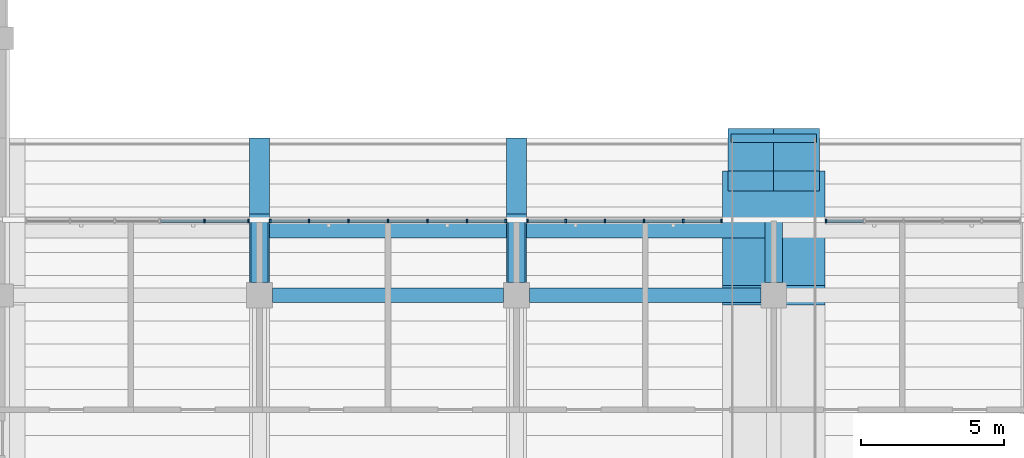
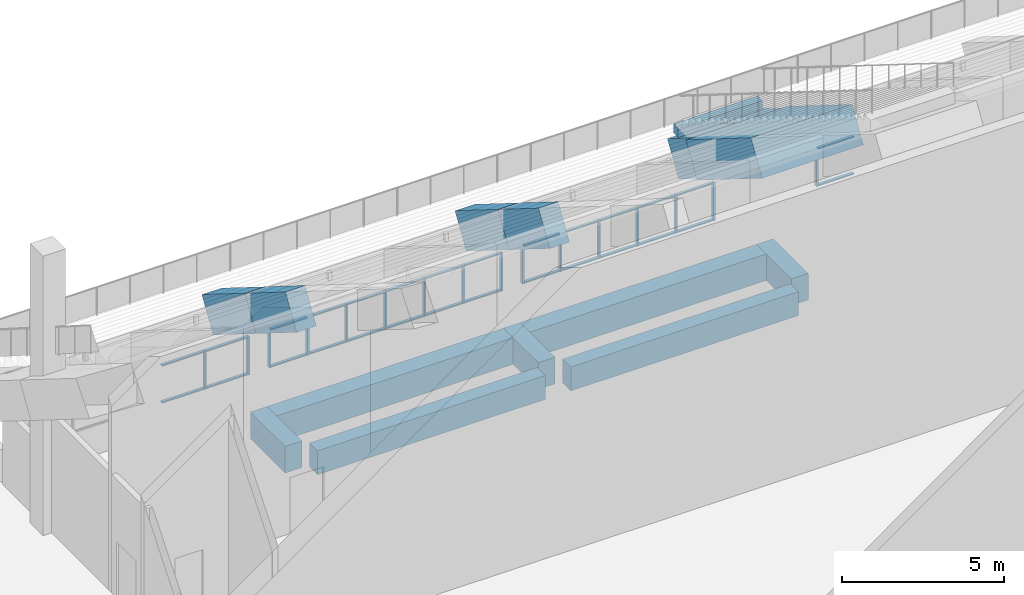
# One storey, part 24 of 182: 44 members, 15 beams, 4 elements without a shape of their own.
"""IFC4 building model written with IfcOpenShell, lengths in metres."""

from ifc_helpers import new_model, si_unit, direction, frame, origin, origin_2d, place, context, subcontext, project, spatial, rectangle, extrude, material, material_profile, profile_set, type_object, element, aggregate, save


model = new_model("IFC4")

# Units and contexts
model_context = context("Model", 3, precision=1e-05, world=origin(), true_north=direction((0.0, 1.0)))
body_context = subcontext(model_context, "Body", "Model", "MODEL_VIEW")
ifc_project = project(units=[si_unit("LENGTHUNIT", "METRE"), si_unit("AREAUNIT", "SQUARE_METRE"), si_unit("VOLUMEUNIT", "CUBIC_METRE"), si_unit("PLANEANGLEUNIT", "RADIAN"), si_unit("MASSUNIT", "GRAM", prefix="KILO")], contexts=[model_context])

# Site, building, storey
site_placement = place(None, origin())
site = spatial("IfcSite", under=ifc_project, at=site_placement, CompositionType="ELEMENT")
building_placement = place(site_placement, origin())
building = spatial("IfcBuilding", under=site, at=building_placement, Name="Silverbay Arena", CompositionType="ELEMENT")
storey_placement = place(building_placement, frame((0.0, 0.0, 11.5)))
storey = spatial("IfcBuildingStorey", under=building, at=storey_placement, Name="L02", CompositionType="ELEMENT", Elevation=11.5)

# Curtain wall, members
ifc_material_1 = material(Name="Fire-resisting glass", Category="glass")
curtain_wall_type_1 = type_object("IfcCurtainWallType", Name="Fire-resisting glazed screen EI 120 7850 x 1437", PredefinedType="NOTDEFINED", material=ifc_material_1)
curtain_wall_1_placement = place(storey_placement, origin())
curtain_wall_1 = element("IfcCurtainWall", 1, at=curtain_wall_1_placement, inside=storey, type_object=curtain_wall_type_1, Name="South suite front 1", PredefinedType="NOTDEFINED")
ifc_material_2 = material(Name="Aluminium", Category="aluminium")
ifc_material_profile_1 = material_profile(ifc_material_2, rectangle(XDim=0.1201171875, YDim=0.06005859375, at=origin_2d()), Name="Mullion 60 x 120")
ifc_profile_set_1 = profile_set([ifc_material_profile_1], Name="Aluminium")
member_type_1 = type_object("IfcMemberType", Name="Mullion 60 x 120", PredefinedType="MULLION", material=ifc_profile_set_1)
member_1_placement = place(storey_placement, frame((106.080078125, 47.60009765625, 1.10009765625), z_axis=(0.0, 0.0, 1.0), x_axis=(0.0, 1.0, 0.0)))
member_1 = element("IfcMember", 2, at=member_1_placement, type_object=member_type_1, Name="CW17 mullion 5", PredefinedType="MULLION", context=body_context, shape_type="SweptSolid", body=[
    extrude(rectangle(XDim=0.1201171875, YDim=0.06005859375, at=origin_2d()), origin(), (0.0, 0.0, 1.0), 1.43701171875),
])
member_2_placement = place(storey_placement, frame((107.6201171875, 47.60009765625, 1.10009765625), z_axis=(0.0, 0.0, 1.0), x_axis=(0.0, 1.0, 0.0)))
member_2 = element("IfcMember", 3, at=member_2_placement, type_object=member_type_1, Name="CW17 mullion 6", PredefinedType="MULLION", context=body_context, shape_type="SweptSolid", body=[
    extrude(rectangle(XDim=0.1201171875, YDim=0.06005859375, at=origin_2d()), origin(), (0.0, 0.0, 1.0), 1.43701171875),
])

ifc_material_3 = material(Name="Fire-resisting glass", Category="glass")
curtain_wall_type_2 = type_object("IfcCurtainWallType", Name="Fire-resisting glazed screen EI 120 8300 x 1437", PredefinedType="NOTDEFINED", material=ifc_material_3)
curtain_wall_2_placement = place(storey_placement, origin())
curtain_wall_2 = element("IfcCurtainWall", 4, at=curtain_wall_2_placement, inside=storey, type_object=curtain_wall_type_2, Name="South suite front 2", PredefinedType="NOTDEFINED")
member_3_placement = place(storey_placement, frame((108.3798828125, 47.60009765625, 1.10009765625), z_axis=(0.0, 0.0, 1.0), x_axis=(0.0, 1.0, 0.0)))
member_3 = element("IfcMember", 5, at=member_3_placement, type_object=member_type_1, Name="CW18 mullion 1", PredefinedType="MULLION", context=body_context, shape_type="SweptSolid", body=[
    extrude(rectangle(XDim=0.1201171875, YDim=0.06005859375, at=origin_2d()), origin(), (0.0, 0.0, 1.0), 1.43701171875),
])
member_4_placement = place(storey_placement, frame((109.7333984375, 47.60009765625, 1.10009765625), z_axis=(0.0, 0.0, 1.0), x_axis=(0.0, 1.0, 0.0)))
member_4 = element("IfcMember", 6, at=member_4_placement, type_object=member_type_1, Name="CW18 mullion 2", PredefinedType="MULLION", context=body_context, shape_type="SweptSolid", body=[
    extrude(rectangle(XDim=0.1201171875, YDim=0.06005859375, at=origin_2d()), origin(), (0.0, 0.0, 1.0), 1.43701171875),
])
member_5_placement = place(storey_placement, frame((111.11669921875, 47.60009765625, 1.10009765625), z_axis=(0.0, 0.0, 1.0), x_axis=(0.0, 1.0, 0.0)))
member_5 = element("IfcMember", 7, at=member_5_placement, type_object=member_type_1, Name="CW18 mullion 3", PredefinedType="MULLION", context=body_context, shape_type="SweptSolid", body=[
    extrude(rectangle(XDim=0.1201171875, YDim=0.06005859375, at=origin_2d()), origin(), (0.0, 0.0, 1.0), 1.43701171875),
])
member_6_placement = place(storey_placement, frame((112.5, 47.60009765625, 1.10009765625), z_axis=(0.0, 0.0, 1.0), x_axis=(0.0, 1.0, 0.0)))
member_6 = element("IfcMember", 8, at=member_6_placement, type_object=member_type_1, Name="CW18 mullion 4", PredefinedType="MULLION", context=body_context, shape_type="SweptSolid", body=[
    extrude(rectangle(XDim=0.1201171875, YDim=0.06005859375, at=origin_2d()), origin(), (0.0, 0.0, 1.0), 1.43701171875),
])
member_7_placement = place(storey_placement, frame((113.88330078125, 47.60009765625, 1.10009765625), z_axis=(0.0, 0.0, 1.0), x_axis=(0.0, 1.0, 0.0)))
member_7 = element("IfcMember", 9, at=member_7_placement, type_object=member_type_1, Name="CW18 mullion 5", PredefinedType="MULLION", context=body_context, shape_type="SweptSolid", body=[
    extrude(rectangle(XDim=0.1201171875, YDim=0.06005859375, at=origin_2d()), origin(), (0.0, 0.0, 1.0), 1.43701171875),
])
member_8_placement = place(storey_placement, frame((115.2666015625, 47.60009765625, 1.10009765625), z_axis=(0.0, 0.0, 1.0), x_axis=(0.0, 1.0, 0.0)))
member_8 = element("IfcMember", 10, at=member_8_placement, type_object=member_type_1, Name="CW18 mullion 6", PredefinedType="MULLION", context=body_context, shape_type="SweptSolid", body=[
    extrude(rectangle(XDim=0.1201171875, YDim=0.06005859375, at=origin_2d()), origin(), (0.0, 0.0, 1.0), 1.43701171875),
])
member_9_placement = place(storey_placement, frame((116.6201171875, 47.60009765625, 1.10009765625), z_axis=(0.0, 0.0, 1.0), x_axis=(0.0, 1.0, 0.0)))
member_9 = element("IfcMember", 11, at=member_9_placement, type_object=member_type_1, Name="CW18 mullion 7", PredefinedType="MULLION", context=body_context, shape_type="SweptSolid", body=[
    extrude(rectangle(XDim=0.1201171875, YDim=0.06005859375, at=origin_2d()), origin(), (0.0, 0.0, 1.0), 1.43701171875),
])

ifc_material_4 = material(Name="Fire-resisting glass", Category="glass")
curtain_wall_type_3 = type_object("IfcCurtainWallType", Name="Fire-resisting glazed screen EI 120 6850 x 1437", PredefinedType="NOTDEFINED", material=ifc_material_4)
curtain_wall_3_placement = place(storey_placement, origin())
curtain_wall_3 = element("IfcCurtainWall", 12, at=curtain_wall_3_placement, inside=storey, type_object=curtain_wall_type_3, Name="South suite front 3", PredefinedType="NOTDEFINED")
member_10_placement = place(storey_placement, frame((117.3798828125, 47.60009765625, 1.10009765625), z_axis=(0.0, 0.0, 1.0), x_axis=(0.0, 1.0, 0.0)))
member_10 = element("IfcMember", 13, at=member_10_placement, type_object=member_type_1, Name="CW19 mullion 1", PredefinedType="MULLION", context=body_context, shape_type="SweptSolid", body=[
    extrude(rectangle(XDim=0.1201171875, YDim=0.06005859375, at=origin_2d()), origin(), (0.0, 0.0, 1.0), 1.43701171875),
])
member_11_placement = place(storey_placement, frame((118.719970703125, 47.60009765625, 1.10009765625), z_axis=(0.0, 0.0, 1.0), x_axis=(0.0, 1.0, 0.0)))
member_11 = element("IfcMember", 14, at=member_11_placement, type_object=member_type_1, Name="CW19 mullion 2", PredefinedType="MULLION", context=body_context, shape_type="SweptSolid", body=[
    extrude(rectangle(XDim=0.1201171875, YDim=0.06005859375, at=origin_2d()), origin(), (0.0, 0.0, 1.0), 1.43701171875),
])
member_12_placement = place(storey_placement, frame((120.090087890625, 47.60009765625, 1.10009765625), z_axis=(0.0, 0.0, 1.0), x_axis=(0.0, 1.0, 0.0)))
member_12 = element("IfcMember", 15, at=member_12_placement, type_object=member_type_1, Name="CW19 mullion 3", PredefinedType="MULLION", context=body_context, shape_type="SweptSolid", body=[
    extrude(rectangle(XDim=0.1201171875, YDim=0.06005859375, at=origin_2d()), origin(), (0.0, 0.0, 1.0), 1.43701171875),
])
member_13_placement = place(storey_placement, frame((121.4599609375, 47.60009765625, 1.10009765625), z_axis=(0.0, 0.0, 1.0), x_axis=(0.0, 1.0, 0.0)))
member_13 = element("IfcMember", 16, at=member_13_placement, type_object=member_type_1, Name="CW19 mullion 4", PredefinedType="MULLION", context=body_context, shape_type="SweptSolid", body=[
    extrude(rectangle(XDim=0.1201171875, YDim=0.06005859375, at=origin_2d()), origin(), (0.0, 0.0, 1.0), 1.43701171875),
])
member_14_placement = place(storey_placement, frame((122.830078125, 47.60009765625, 1.10009765625), z_axis=(0.0, 0.0, 1.0), x_axis=(0.0, 1.0, 0.0)))
member_14 = element("IfcMember", 17, at=member_14_placement, type_object=member_type_1, Name="CW19 mullion 5", PredefinedType="MULLION", context=body_context, shape_type="SweptSolid", body=[
    extrude(rectangle(XDim=0.1201171875, YDim=0.06005859375, at=origin_2d()), origin(), (0.0, 0.0, 1.0), 1.43701171875),
])
member_15_placement = place(storey_placement, frame((124.169921875, 47.60009765625, 1.10009765625), z_axis=(0.0, 0.0, 1.0), x_axis=(0.0, 1.0, 0.0)))
member_15 = element("IfcMember", 18, at=member_15_placement, type_object=member_type_1, Name="CW19 mullion 6", PredefinedType="MULLION", context=body_context, shape_type="SweptSolid", body=[
    extrude(rectangle(XDim=0.1201171875, YDim=0.06005859375, at=origin_2d()), origin(), (0.0, 0.0, 1.0), 1.43701171875),
])

# Curtain wall, member
curtain_wall_4_placement = place(storey_placement, origin())
curtain_wall_4 = element("IfcCurtainWall", 19, at=curtain_wall_4_placement, inside=storey, type_object=curtain_wall_type_3, Name="South suite front 4", PredefinedType="NOTDEFINED")
member_16_placement = place(storey_placement, frame((127.830078125, 47.60009765625, 1.10009765625), z_axis=(0.0, 0.0, 1.0), x_axis=(0.0, 1.0, 0.0)))
member_16 = element("IfcMember", 20, at=member_16_placement, type_object=member_type_1, Name="CW19 mullion 1", PredefinedType="MULLION", context=body_context, shape_type="SweptSolid", body=[
    extrude(rectangle(XDim=0.1201171875, YDim=0.06005859375, at=origin_2d()), origin(), (0.0, 0.0, 1.0), 1.43701171875),
])

# Beams
ifc_material_5 = material(Name="Concrete Grade C45", Category="concrete")
ifc_material_profile_2 = material_profile(ifc_material_5, rectangle(XDim=0.5, YDim=0.89990234375, at=origin_2d()), Name="RC 500x900")
ifc_profile_set_2 = profile_set([ifc_material_profile_2], Name="Concrete Grade C45")
beam_type_1 = type_object("IfcBeamType", Name="RC beam 500x900", PredefinedType="BEAM", material=ifc_profile_set_2)
for number, where, z_axis, x_axis, name in (
    (21, (108.449951171875, 45.0, -0.800048828125), (1.0, 0.0, 0.0), (0.0, 1.0, 0.0), "Floor beam L02 034"),
    (22, (117.449951171875, 45.0, -0.800048828125), (1.0, 0.0, 0.0), (0.0, 1.0, 0.0), "Floor beam L02 035"),
):
    element("IfcBeam", number, at=place(storey_placement, frame(where, z_axis=z_axis, x_axis=x_axis)), inside=storey, type_object=beam_type_1, Name=name, PredefinedType="BEAM", context=body_context, shape_type="SweptSolid", body=[
        extrude(rectangle(XDim=0.5, YDim=0.89990234375, at=origin_2d()), origin(), (0.0, 0.0, 1.0), 8.10009765625),
    ])
ifc_material_6 = material(Name="Concrete Grade C45", Category="concrete")
ifc_material_profile_3 = material_profile(ifc_material_6, rectangle(XDim=0.60009765625, YDim=1.0, at=origin_2d()), Name="RC 600x1000")
ifc_profile_set_3 = profile_set([ifc_material_profile_3], Name="Concrete Grade C45")
beam_type_2 = type_object("IfcBeamType", Name="RC beam 600x1000", PredefinedType="BEAM", material=ifc_profile_set_3)
for number, where, z_axis, x_axis, name in (
    (23, (108.0, 45.449951171875, -0.85009765625), (0.0, 1.0, 0.0), (-1.0, 0.0, 0.0), "Floor beam L02 255"),
    (24, (117.0, 45.449951171875, -0.85009765625), (0.0, 1.0, 0.0), (-1.0, 0.0, 0.0), "Floor beam L02 261"),
    (25, (126.0, 45.449951171875, -0.85009765625), (0.0, 1.0, 0.0), (-1.0, 0.0, 0.0), "Floor beam L02 268"),
):
    element("IfcBeam", number, at=place(storey_placement, frame(where, z_axis=z_axis, x_axis=x_axis)), inside=storey, type_object=beam_type_2, Name=name, PredefinedType="BEAM", context=body_context, shape_type="SweptSolid", body=[
        extrude(rectangle(XDim=0.60009765625, YDim=1.0, at=origin_2d()), origin(), (0.0, 0.0, 1.0), 2.150146484375),
    ])
for number, where, z_axis, x_axis, name in (
    (26, (108.300048828125, 47.300048828125, -0.85009765625), (1.0, 0.0, 0.0), (0.0, 1.0, 0.0), "Floor beam L02 366"),
    (27, (117.300048828125, 47.300048828125, -0.85009765625), (1.0, 0.0, 0.0), (0.0, 1.0, 0.0), "Floor beam L02 367"),
):
    element("IfcBeam", number, at=place(storey_placement, frame(where, z_axis=z_axis, x_axis=x_axis)), inside=storey, type_object=beam_type_2, Name=name, PredefinedType="BEAM", context=body_context, shape_type="SweptSolid", body=[
        extrude(rectangle(XDim=0.60009765625, YDim=1.0, at=origin_2d()), origin(), (0.0, 0.0, 1.0), 8.39990234375),
    ])
ifc_material_7 = material(Name="Concrete Grade C45", Category="concrete")
ifc_material_profile_4 = material_profile(ifc_material_7, rectangle(XDim=1.60009765625, YDim=1.300048828125, at=origin_2d()), Name="RC 1600x1300")
ifc_profile_set_4 = profile_set([ifc_material_profile_4], Name="Concrete Grade C45")
beam_type_3 = type_object("IfcBeamType", Name="RC cantilever raker 1600x1300", PredefinedType="BEAM", material=ifc_profile_set_4)
for number, where, z_axis, x_axis, name in (
    (28, (125.199951171875, 50.5, 1.553466796875), (0.0, -0.847998304005, 0.529998940003), (1.0, 0.0, 0.0), "Raker South upper 126 nose L"),
    (29, (126.800048828125, 50.5, 1.553466796875), (0.0, -0.847998304005, 0.529998940003), (1.0, 0.0, 0.0), "Raker South upper 126 nose R"),
):
    element("IfcBeam", number, at=place(storey_placement, frame(where, z_axis=z_axis, x_axis=x_axis)), inside=storey, type_object=beam_type_3, Name=name, PredefinedType="BEAM", context=body_context, shape_type="SweptSolid", body=[
        extrude(rectangle(XDim=1.60009765625, YDim=1.300048828125, at=origin_2d()), origin(), (0.0, 0.0, 1.0), 1.768798828125),
    ])
ifc_material_8 = material(Name="Concrete Grade C45", Category="concrete")
ifc_material_profile_5 = material_profile(ifc_material_8, rectangle(XDim=3.60009765625, YDim=1.300048828125, at=origin_2d()), Name="RC 3600x1300")
ifc_profile_set_5 = profile_set([ifc_material_profile_5], Name="Concrete Grade C45")
beam_type_4 = type_object("IfcBeamType", Name="RC cantilever raker 3600x1300", PredefinedType="BEAM", material=ifc_profile_set_5)
beam_1_placement = place(storey_placement, frame((126.0, 49.0, 2.490966796875), z_axis=(0.0, -0.847998304005, 0.529998940003), x_axis=(1.0, 0.0, 0.0)))
element("IfcBeam", 30, at=beam_1_placement, inside=storey, type_object=beam_type_4, Name="Raker South upper 126 tip", PredefinedType="BEAM", context=body_context, shape_type="SweptSolid", body=[
    extrude(rectangle(XDim=3.60009765625, YDim=1.300048828125, at=origin_2d()), origin(), (0.0, 0.0, 1.0), 4.717041015625),
])
ifc_material_9 = material(Name="Concrete Grade C45", Category="concrete")
ifc_material_profile_6 = material_profile(ifc_material_9, rectangle(XDim=0.699951171875, YDim=1.300048828125, at=origin_2d()), Name="RC 700x1300")
ifc_profile_set_6 = profile_set([ifc_material_profile_6], Name="Concrete Grade C45")
beam_type_5 = type_object("IfcBeamType", Name="RC cantilever raker 700x1300", PredefinedType="BEAM", material=ifc_profile_set_6)
beam_2_placement = place(storey_placement, frame((108.0, 50.155517578125, 1.768798828125), z_axis=(0.0, -0.848002683915, 0.529991932082), x_axis=(1.0, 0.0, 0.0)))
element("IfcBeam", 31, at=beam_2_placement, inside=storey, type_object=beam_type_5, Name="Raker South upper 108 tip", PredefinedType="BEAM", context=body_context, shape_type="SweptSolid", body=[
    extrude(rectangle(XDim=0.699951171875, YDim=1.300048828125, at=origin_2d()), origin(), (0.0, 0.0, 1.0), 3.131591796875),
])
beam_3_placement = place(storey_placement, frame((108.0, 47.5, 3.428466796875), z_axis=(0.0, -0.847998304005, 0.529998940003), x_axis=(1.0, 0.0, 0.0)))
element("IfcBeam", 32, at=beam_3_placement, inside=storey, type_object=beam_type_5, Name="Raker South upper 108 mid", PredefinedType="BEAM", context=body_context, shape_type="SweptSolid", body=[
    extrude(rectangle(XDim=0.699951171875, YDim=1.300048828125, at=origin_2d()), origin(), (0.0, 0.0, 1.0), 2.947998046875),
])
beam_4_placement = place(storey_placement, frame((117.0, 50.155517578125, 1.768798828125), z_axis=(0.0, -0.848002683915, 0.529991932082), x_axis=(1.0, 0.0, 0.0)))
element("IfcBeam", 33, at=beam_4_placement, inside=storey, type_object=beam_type_5, Name="Raker South upper 117 tip", PredefinedType="BEAM", context=body_context, shape_type="SweptSolid", body=[
    extrude(rectangle(XDim=0.699951171875, YDim=1.300048828125, at=origin_2d()), origin(), (0.0, 0.0, 1.0), 3.131591796875),
])
beam_5_placement = place(storey_placement, frame((117.0, 47.5, 3.428466796875), z_axis=(0.0, -0.847998304005, 0.529998940003), x_axis=(1.0, 0.0, 0.0)))
element("IfcBeam", 34, at=beam_5_placement, inside=storey, type_object=beam_type_5, Name="Raker South upper 117 mid", PredefinedType="BEAM", context=body_context, shape_type="SweptSolid", body=[
    extrude(rectangle(XDim=0.699951171875, YDim=1.300048828125, at=origin_2d()), origin(), (0.0, 0.0, 1.0), 2.947998046875),
])
ifc_material_10 = material(Name="Concrete Grade C45", Category="concrete")
ifc_material_profile_7 = material_profile(ifc_material_10, rectangle(XDim=0.300048828125, YDim=0.336181640625, at=origin_2d()), Name="RC 300x336")
ifc_profile_set_7 = profile_set([ifc_material_profile_7], Name="Concrete Grade C45")
beam_type_6 = type_object("IfcBeamType", Name="RC foot plinth 300x336", PredefinedType="BEAM", material=ifc_profile_set_7)
beam_6_placement = place(storey_placement, frame((124.5, 50.5, 2.581787109375), z_axis=(1.0, 0.0, 0.0), x_axis=(0.0, 1.0, 0.0)))
element("IfcBeam", 35, at=beam_6_placement, inside=storey, type_object=beam_type_6, Name="Foot plinth South upper 126", PredefinedType="BEAM", context=body_context, shape_type="SweptSolid", body=[
    extrude(rectangle(XDim=0.300048828125, YDim=0.336181640625, at=origin_2d()), origin(), (0.0, 0.0, 1.0), 3.0),
])

# Member
ifc_material_11 = material(Name="Aluminium", Category="aluminium")
ifc_material_profile_8 = material_profile(ifc_material_11, rectangle(XDim=0.10009765625, YDim=0.050048828125, at=origin_2d()), Name="Transom 50 x 100")
ifc_profile_set_8 = profile_set([ifc_material_profile_8], Name="Aluminium")
member_type_2 = type_object("IfcMemberType", Name="Transom 50 x 100", PredefinedType="USERDEFINED", material=ifc_profile_set_8)
member_17_placement = place(storey_placement, frame((104.5400390625, 47.60009765625, 1.125), z_axis=(1.0, 0.0, 0.0), x_axis=(0.0, 1.0, 0.0)))
member_17 = element("IfcMember", 36, at=member_17_placement, type_object=member_type_2, Name="CW17 transom 4.1", ObjectType="TRANSOM", PredefinedType="USERDEFINED", context=body_context, shape_type="SweptSolid", body=[
    extrude(rectangle(XDim=0.10009765625, YDim=0.050048828125, at=origin_2d()), origin(), (0.0, 0.0, 1.0), 1.510009765625),
])

member_18_placement = place(storey_placement, frame((104.5400390625, 47.60009765625, 2.511962890625), z_axis=(1.0, 0.0, 0.0), x_axis=(0.0, 1.0, 0.0)))
member_18 = element("IfcMember", 37, at=member_18_placement, type_object=member_type_2, Name="CW17 transom 4.2", ObjectType="TRANSOM", PredefinedType="USERDEFINED", context=body_context, shape_type="SweptSolid", body=[
    extrude(rectangle(XDim=0.10009765625, YDim=0.050048828125, at=origin_2d()), origin(), (0.0, 0.0, 1.0), 1.510009765625),
])

member_19_placement = place(storey_placement, frame((106.110107421875, 47.60009765625, 1.125), z_axis=(1.0, 0.0, 0.0), x_axis=(0.0, 1.0, 0.0)))
member_19 = element("IfcMember", 38, at=member_19_placement, type_object=member_type_2, Name="CW17 transom 5.1", ObjectType="TRANSOM", PredefinedType="USERDEFINED", context=body_context, shape_type="SweptSolid", body=[
    extrude(rectangle(XDim=0.10009765625, YDim=0.050048828125, at=origin_2d()), origin(), (0.0, 0.0, 1.0), 1.47998046875),
])

member_20_placement = place(storey_placement, frame((106.110107421875, 47.60009765625, 2.511962890625), z_axis=(1.0, 0.0, 0.0), x_axis=(0.0, 1.0, 0.0)))
member_20 = element("IfcMember", 39, at=member_20_placement, type_object=member_type_2, Name="CW17 transom 5.2", ObjectType="TRANSOM", PredefinedType="USERDEFINED", context=body_context, shape_type="SweptSolid", body=[
    extrude(rectangle(XDim=0.10009765625, YDim=0.050048828125, at=origin_2d()), origin(), (0.0, 0.0, 1.0), 1.47998046875),
])

aggregate(curtain_wall_1, [member_1, member_2, member_17, member_18, member_19, member_20])

member_21_placement = place(storey_placement, frame((108.409912109375, 47.60009765625, 1.125), z_axis=(1.0, 0.0, 0.0), x_axis=(0.0, 1.0, 0.0)))
member_21 = element("IfcMember", 40, at=member_21_placement, type_object=member_type_2, Name="CW18 transom 1.1", ObjectType="TRANSOM", PredefinedType="USERDEFINED", context=body_context, shape_type="SweptSolid", body=[
    extrude(rectangle(XDim=0.10009765625, YDim=0.050048828125, at=origin_2d()), origin(), (0.0, 0.0, 1.0), 1.29345703125),
])

member_22_placement = place(storey_placement, frame((108.409912109375, 47.60009765625, 2.511962890625), z_axis=(1.0, 0.0, 0.0), x_axis=(0.0, 1.0, 0.0)))
member_22 = element("IfcMember", 41, at=member_22_placement, type_object=member_type_2, Name="CW18 transom 1.2", ObjectType="TRANSOM", PredefinedType="USERDEFINED", context=body_context, shape_type="SweptSolid", body=[
    extrude(rectangle(XDim=0.10009765625, YDim=0.050048828125, at=origin_2d()), origin(), (0.0, 0.0, 1.0), 1.29345703125),
])

member_23_placement = place(storey_placement, frame((109.763427734375, 47.60009765625, 1.125), z_axis=(1.0, 0.0, 0.0), x_axis=(0.0, 1.0, 0.0)))
member_23 = element("IfcMember", 42, at=member_23_placement, type_object=member_type_2, Name="CW18 transom 2.1", ObjectType="TRANSOM", PredefinedType="USERDEFINED", context=body_context, shape_type="SweptSolid", body=[
    extrude(rectangle(XDim=0.10009765625, YDim=0.050048828125, at=origin_2d()), origin(), (0.0, 0.0, 1.0), 1.3232421875),
])

member_24_placement = place(storey_placement, frame((109.763427734375, 47.60009765625, 2.511962890625), z_axis=(1.0, 0.0, 0.0), x_axis=(0.0, 1.0, 0.0)))
member_24 = element("IfcMember", 43, at=member_24_placement, type_object=member_type_2, Name="CW18 transom 2.2", ObjectType="TRANSOM", PredefinedType="USERDEFINED", context=body_context, shape_type="SweptSolid", body=[
    extrude(rectangle(XDim=0.10009765625, YDim=0.050048828125, at=origin_2d()), origin(), (0.0, 0.0, 1.0), 1.3232421875),
])

member_25_placement = place(storey_placement, frame((111.146728515625, 47.60009765625, 1.125), z_axis=(1.0, 0.0, 0.0), x_axis=(0.0, 1.0, 0.0)))
member_25 = element("IfcMember", 44, at=member_25_placement, type_object=member_type_2, Name="CW18 transom 3.1", ObjectType="TRANSOM", PredefinedType="USERDEFINED", context=body_context, shape_type="SweptSolid", body=[
    extrude(rectangle(XDim=0.10009765625, YDim=0.050048828125, at=origin_2d()), origin(), (0.0, 0.0, 1.0), 1.3232421875),
])

member_26_placement = place(storey_placement, frame((111.146728515625, 47.60009765625, 2.511962890625), z_axis=(1.0, 0.0, 0.0), x_axis=(0.0, 1.0, 0.0)))
member_26 = element("IfcMember", 45, at=member_26_placement, type_object=member_type_2, Name="CW18 transom 3.2", ObjectType="TRANSOM", PredefinedType="USERDEFINED", context=body_context, shape_type="SweptSolid", body=[
    extrude(rectangle(XDim=0.10009765625, YDim=0.050048828125, at=origin_2d()), origin(), (0.0, 0.0, 1.0), 1.3232421875),
])

member_27_placement = place(storey_placement, frame((112.530029296875, 47.60009765625, 1.125), z_axis=(1.0, 0.0, 0.0), x_axis=(0.0, 1.0, 0.0)))
member_27 = element("IfcMember", 46, at=member_27_placement, type_object=member_type_2, Name="CW18 transom 4.1", ObjectType="TRANSOM", PredefinedType="USERDEFINED", context=body_context, shape_type="SweptSolid", body=[
    extrude(rectangle(XDim=0.10009765625, YDim=0.050048828125, at=origin_2d()), origin(), (0.0, 0.0, 1.0), 1.3232421875),
])

member_28_placement = place(storey_placement, frame((112.530029296875, 47.60009765625, 2.511962890625), z_axis=(1.0, 0.0, 0.0), x_axis=(0.0, 1.0, 0.0)))
member_28 = element("IfcMember", 47, at=member_28_placement, type_object=member_type_2, Name="CW18 transom 4.2", ObjectType="TRANSOM", PredefinedType="USERDEFINED", context=body_context, shape_type="SweptSolid", body=[
    extrude(rectangle(XDim=0.10009765625, YDim=0.050048828125, at=origin_2d()), origin(), (0.0, 0.0, 1.0), 1.3232421875),
])

member_29_placement = place(storey_placement, frame((113.913330078125, 47.60009765625, 1.125), z_axis=(1.0, 0.0, 0.0), x_axis=(0.0, 1.0, 0.0)))
member_29 = element("IfcMember", 48, at=member_29_placement, type_object=member_type_2, Name="CW18 transom 5.1", ObjectType="TRANSOM", PredefinedType="USERDEFINED", context=body_context, shape_type="SweptSolid", body=[
    extrude(rectangle(XDim=0.10009765625, YDim=0.050048828125, at=origin_2d()), origin(), (0.0, 0.0, 1.0), 1.3232421875),
])

member_30_placement = place(storey_placement, frame((113.913330078125, 47.60009765625, 2.511962890625), z_axis=(1.0, 0.0, 0.0), x_axis=(0.0, 1.0, 0.0)))
member_30 = element("IfcMember", 49, at=member_30_placement, type_object=member_type_2, Name="CW18 transom 5.2", ObjectType="TRANSOM", PredefinedType="USERDEFINED", context=body_context, shape_type="SweptSolid", body=[
    extrude(rectangle(XDim=0.10009765625, YDim=0.050048828125, at=origin_2d()), origin(), (0.0, 0.0, 1.0), 1.3232421875),
])

member_31_placement = place(storey_placement, frame((115.296630859375, 47.60009765625, 1.125), z_axis=(1.0, 0.0, 0.0), x_axis=(0.0, 1.0, 0.0)))
member_31 = element("IfcMember", 50, at=member_31_placement, type_object=member_type_2, Name="CW18 transom 6.1", ObjectType="TRANSOM", PredefinedType="USERDEFINED", context=body_context, shape_type="SweptSolid", body=[
    extrude(rectangle(XDim=0.10009765625, YDim=0.050048828125, at=origin_2d()), origin(), (0.0, 0.0, 1.0), 1.29345703125),
])

member_32_placement = place(storey_placement, frame((115.296630859375, 47.60009765625, 2.511962890625), z_axis=(1.0, 0.0, 0.0), x_axis=(0.0, 1.0, 0.0)))
member_32 = element("IfcMember", 51, at=member_32_placement, type_object=member_type_2, Name="CW18 transom 6.2", ObjectType="TRANSOM", PredefinedType="USERDEFINED", context=body_context, shape_type="SweptSolid", body=[
    extrude(rectangle(XDim=0.10009765625, YDim=0.050048828125, at=origin_2d()), origin(), (0.0, 0.0, 1.0), 1.29345703125),
])

aggregate(curtain_wall_2, [member_3, member_4, member_5, member_6, member_7, member_8, member_9, member_21, member_22, member_23, member_24, member_25, member_26, member_27, member_28, member_29, member_30, member_31, member_32])

member_33_placement = place(storey_placement, frame((117.409912109375, 47.60009765625, 1.125), z_axis=(1.0, 0.0, 0.0), x_axis=(0.0, 1.0, 0.0)))
member_33 = element("IfcMember", 52, at=member_33_placement, type_object=member_type_2, Name="CW19 transom 1.1", ObjectType="TRANSOM", PredefinedType="USERDEFINED", context=body_context, shape_type="SweptSolid", body=[
    extrude(rectangle(XDim=0.10009765625, YDim=0.050048828125, at=origin_2d()), origin(), (0.0, 0.0, 1.0), 1.280029296875),
])

member_34_placement = place(storey_placement, frame((117.409912109375, 47.60009765625, 2.511962890625), z_axis=(1.0, 0.0, 0.0), x_axis=(0.0, 1.0, 0.0)))
member_34 = element("IfcMember", 53, at=member_34_placement, type_object=member_type_2, Name="CW19 transom 1.2", ObjectType="TRANSOM", PredefinedType="USERDEFINED", context=body_context, shape_type="SweptSolid", body=[
    extrude(rectangle(XDim=0.10009765625, YDim=0.050048828125, at=origin_2d()), origin(), (0.0, 0.0, 1.0), 1.280029296875),
])

member_35_placement = place(storey_placement, frame((118.75, 47.60009765625, 1.125), z_axis=(1.0, 0.0, 0.0), x_axis=(0.0, 1.0, 0.0)))
member_35 = element("IfcMember", 54, at=member_35_placement, type_object=member_type_2, Name="CW19 transom 2.1", ObjectType="TRANSOM", PredefinedType="USERDEFINED", context=body_context, shape_type="SweptSolid", body=[
    extrude(rectangle(XDim=0.10009765625, YDim=0.050048828125, at=origin_2d()), origin(), (0.0, 0.0, 1.0), 1.31005859375),
])

member_36_placement = place(storey_placement, frame((118.75, 47.60009765625, 2.511962890625), z_axis=(1.0, 0.0, 0.0), x_axis=(0.0, 1.0, 0.0)))
member_36 = element("IfcMember", 55, at=member_36_placement, type_object=member_type_2, Name="CW19 transom 2.2", ObjectType="TRANSOM", PredefinedType="USERDEFINED", context=body_context, shape_type="SweptSolid", body=[
    extrude(rectangle(XDim=0.10009765625, YDim=0.050048828125, at=origin_2d()), origin(), (0.0, 0.0, 1.0), 1.31005859375),
])

member_37_placement = place(storey_placement, frame((120.1201171875, 47.60009765625, 1.125), z_axis=(1.0, 0.0, 0.0), x_axis=(0.0, 1.0, 0.0)))
member_37 = element("IfcMember", 56, at=member_37_placement, type_object=member_type_2, Name="CW19 transom 3.1", ObjectType="TRANSOM", PredefinedType="USERDEFINED", context=body_context, shape_type="SweptSolid", body=[
    extrude(rectangle(XDim=0.10009765625, YDim=0.050048828125, at=origin_2d()), origin(), (0.0, 0.0, 1.0), 1.309814453125),
])

member_38_placement = place(storey_placement, frame((120.1201171875, 47.60009765625, 2.511962890625), z_axis=(1.0, 0.0, 0.0), x_axis=(0.0, 1.0, 0.0)))
member_38 = element("IfcMember", 57, at=member_38_placement, type_object=member_type_2, Name="CW19 transom 3.2", ObjectType="TRANSOM", PredefinedType="USERDEFINED", context=body_context, shape_type="SweptSolid", body=[
    extrude(rectangle(XDim=0.10009765625, YDim=0.050048828125, at=origin_2d()), origin(), (0.0, 0.0, 1.0), 1.309814453125),
])

member_39_placement = place(storey_placement, frame((121.489990234375, 47.60009765625, 1.125), z_axis=(1.0, 0.0, 0.0), x_axis=(0.0, 1.0, 0.0)))
member_39 = element("IfcMember", 58, at=member_39_placement, type_object=member_type_2, Name="CW19 transom 4.1", ObjectType="TRANSOM", PredefinedType="USERDEFINED", context=body_context, shape_type="SweptSolid", body=[
    extrude(rectangle(XDim=0.10009765625, YDim=0.050048828125, at=origin_2d()), origin(), (0.0, 0.0, 1.0), 1.31005859375),
])

member_40_placement = place(storey_placement, frame((121.489990234375, 47.60009765625, 2.511962890625), z_axis=(1.0, 0.0, 0.0), x_axis=(0.0, 1.0, 0.0)))
member_40 = element("IfcMember", 59, at=member_40_placement, type_object=member_type_2, Name="CW19 transom 4.2", ObjectType="TRANSOM", PredefinedType="USERDEFINED", context=body_context, shape_type="SweptSolid", body=[
    extrude(rectangle(XDim=0.10009765625, YDim=0.050048828125, at=origin_2d()), origin(), (0.0, 0.0, 1.0), 1.31005859375),
])

member_41_placement = place(storey_placement, frame((122.860107421875, 47.60009765625, 1.125), z_axis=(1.0, 0.0, 0.0), x_axis=(0.0, 1.0, 0.0)))
member_41 = element("IfcMember", 60, at=member_41_placement, type_object=member_type_2, Name="CW19 transom 5.1", ObjectType="TRANSOM", PredefinedType="USERDEFINED", context=body_context, shape_type="SweptSolid", body=[
    extrude(rectangle(XDim=0.10009765625, YDim=0.050048828125, at=origin_2d()), origin(), (0.0, 0.0, 1.0), 1.27978515625),
])

member_42_placement = place(storey_placement, frame((122.860107421875, 47.60009765625, 2.511962890625), z_axis=(1.0, 0.0, 0.0), x_axis=(0.0, 1.0, 0.0)))
member_42 = element("IfcMember", 61, at=member_42_placement, type_object=member_type_2, Name="CW19 transom 5.2", ObjectType="TRANSOM", PredefinedType="USERDEFINED", context=body_context, shape_type="SweptSolid", body=[
    extrude(rectangle(XDim=0.10009765625, YDim=0.050048828125, at=origin_2d()), origin(), (0.0, 0.0, 1.0), 1.27978515625),
])

aggregate(curtain_wall_3, [member_10, member_11, member_12, member_13, member_14, member_15, member_33, member_34, member_35, member_36, member_37, member_38, member_39, member_40, member_41, member_42])

member_43_placement = place(storey_placement, frame((127.860107421875, 47.60009765625, 1.125), z_axis=(1.0, 0.0, 0.0), x_axis=(0.0, 1.0, 0.0)))
member_43 = element("IfcMember", 62, at=member_43_placement, type_object=member_type_2, Name="CW19 transom 1.1", ObjectType="TRANSOM", PredefinedType="USERDEFINED", context=body_context, shape_type="SweptSolid", body=[
    extrude(rectangle(XDim=0.10009765625, YDim=0.050048828125, at=origin_2d()), origin(), (0.0, 0.0, 1.0), 1.27978515625),
])

member_44_placement = place(storey_placement, frame((127.860107421875, 47.60009765625, 2.511962890625), z_axis=(1.0, 0.0, 0.0), x_axis=(0.0, 1.0, 0.0)))
member_44 = element("IfcMember", 63, at=member_44_placement, type_object=member_type_2, Name="CW19 transom 1.2", ObjectType="TRANSOM", PredefinedType="USERDEFINED", context=body_context, shape_type="SweptSolid", body=[
    extrude(rectangle(XDim=0.10009765625, YDim=0.050048828125, at=origin_2d()), origin(), (0.0, 0.0, 1.0), 1.27978515625),
])

aggregate(curtain_wall_4, [member_16, member_43, member_44])

save(model, "model.ifc")
